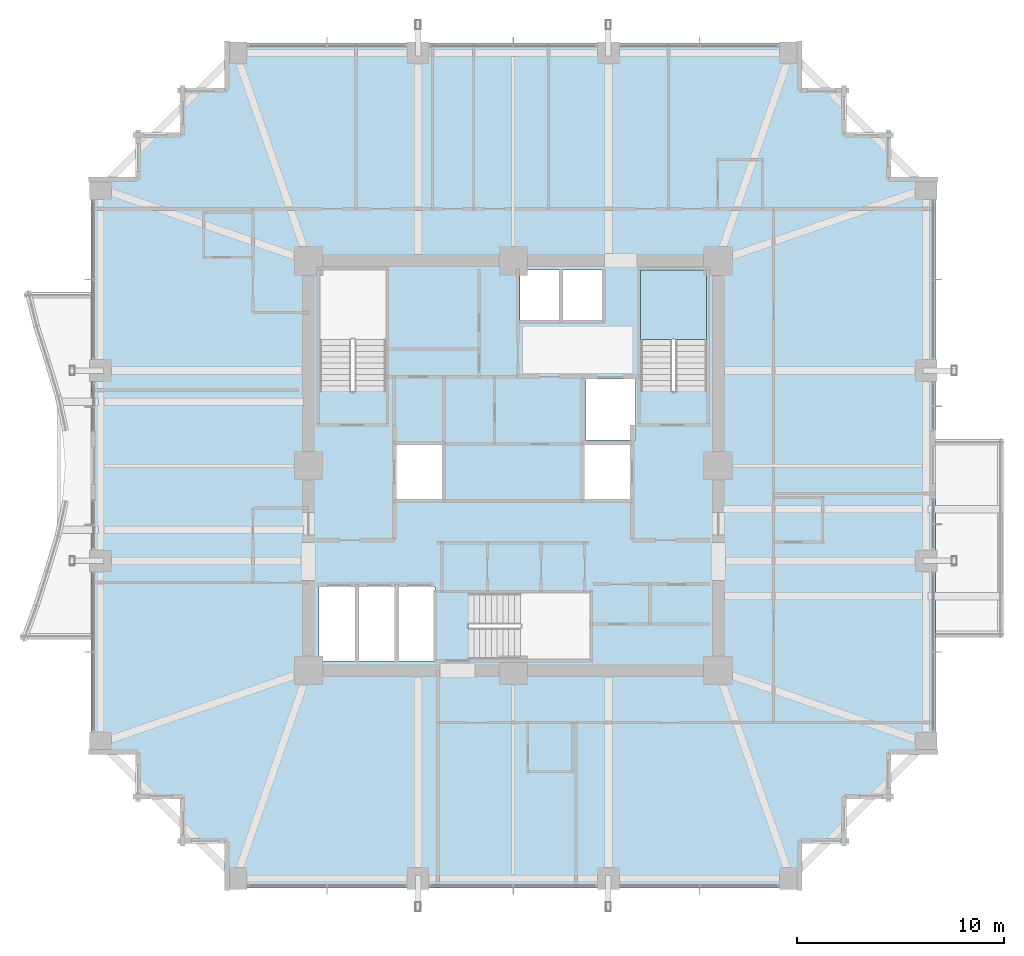
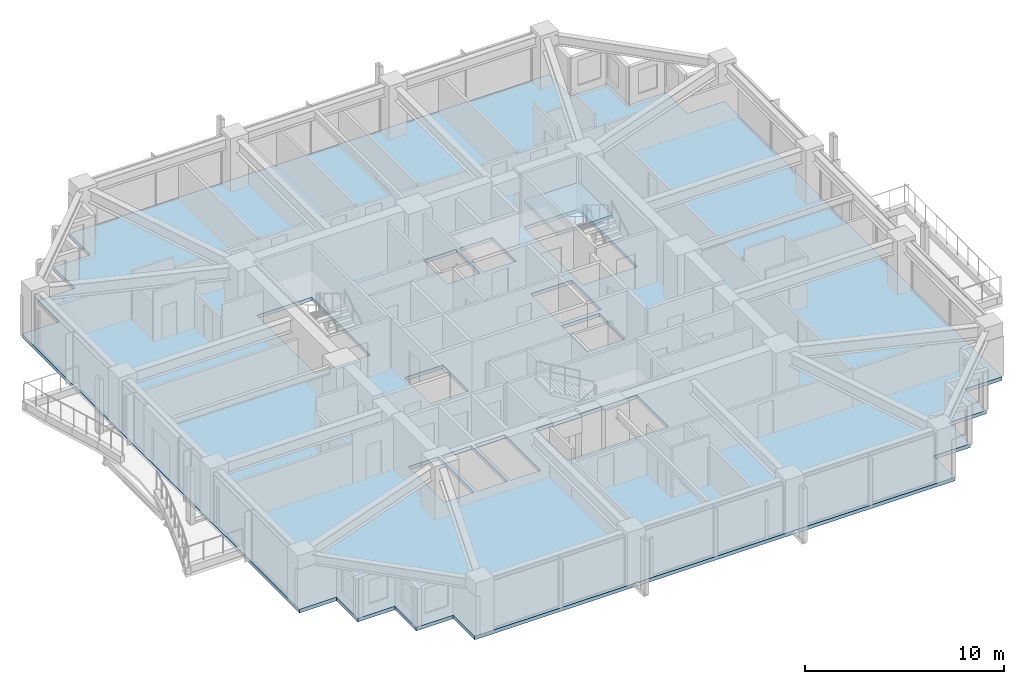
# One storey, part 27 of 37: 2 slabs, 1 element without a shape of its own.
"""IFC4 building model written with IfcOpenShell, lengths in metres."""

from ifc_helpers import new_model, si_unit, direction, frame, origin, place, context, subcontext, project, spatial, polyline, outline, extrude, material, layer, layer_set, type_object, element, aggregate, save


model = new_model("IFC4")

# Units and contexts
model_context = context("Model", 3, precision=1e-05, world=origin(), true_north=direction((0.0, 1.0)))
body_context = subcontext(model_context, "Body", "Model", "MODEL_VIEW")
ifc_project = project(units=[si_unit("LENGTHUNIT", "METRE"), si_unit("AREAUNIT", "SQUARE_METRE"), si_unit("VOLUMEUNIT", "CUBIC_METRE"), si_unit("PLANEANGLEUNIT", "RADIAN"), si_unit("MASSUNIT", "GRAM", prefix="KILO")], contexts=[model_context])

# Site, building, storey
site_placement = place(None, origin())
site = spatial("IfcSite", under=ifc_project, at=site_placement, CompositionType="ELEMENT")
building_placement = place(site_placement, origin())
building = spatial("IfcBuilding", under=site, at=building_placement, Name="Kolvaren Belvedere", CompositionType="ELEMENT")
storey_placement = place(building_placement, frame((0.0, 0.0, 82.10009765625)))
storey = spatial("IfcBuildingStorey", under=building, at=storey_placement, Name="L23", CompositionType="ELEMENT", Elevation=82.10009765625)

# Slab
ifc_material_1 = material(Name="Concrete C50/60", Category="concrete")
ifc_layer_1 = layer(ifc_material_1, 0.219970703125)
ifc_layer_set_1 = layer_set([ifc_layer_1], Name="Concrete C50/60")
slab_type_1 = type_object("IfcSlabType", Name="SL-FLR-220", PredefinedType="FLOOR", material=ifc_layer_set_1)
slab_1_placement = place(storey_placement, frame((0.0, 0.0, -0.22021484375)))
element("IfcSlab", 1, at=slab_1_placement, inside=storey, type_object=slab_type_1, Name="L23 Primary Structural Slab", PredefinedType="FLOOR", context=body_context, shape_type="SweptSolid", body=[
    extrude(outline(polyline([(-13.949951171875, -20.39990234375), (13.949951171875, -20.39990234375), (13.949951171875, -18.25), (16.10009765625, -18.25), (16.10009765625, -16.10009765625), (18.25, -16.10009765625), (18.25, -13.949951171875), (20.39990234375, -13.949951171875), (20.39990234375, 13.949951171875), (18.25, 13.949951171875), (18.25, 16.10009765625), (16.10009765625, 16.10009765625), (16.10009765625, 18.25), (13.949951171875, 18.25), (13.949951171875, 20.39990234375), (-13.949951171875, 20.39990234375), (-13.949951171875, 18.25), (-16.10009765625, 18.25), (-16.10009765625, 16.10009765625), (-18.25, 16.10009765625), (-18.25, 13.949951171875), (-20.39990234375, 13.949951171875), (-20.39990234375, -13.949951171875), (-18.25, -13.949951171875), (-18.25, -16.10009765625), (-16.10009765625, -16.10009765625), (-16.10009765625, -18.25), (-13.949951171875, -18.25), (-13.949951171875, -20.39990234375)]), holes=[polyline([(-9.35009765625, 3.580078125), (-6.159912109375, 3.580078125), (-6.159912109375, 9.449951171875), (-9.35009765625, 9.449951171875), (-9.35009765625, 3.580078125)]), polyline([(6.159912109375, 3.580078125), (9.35009765625, 3.580078125), (9.35009765625, 9.449951171875), (6.159912109375, 9.449951171875), (6.159912109375, 3.580078125)]), polyline([(-2.169921875, -9.35009765625), (3.699951171875, -9.35009765625), (3.699951171875, -6.159912109375), (-2.169921875, -6.159912109375), (-2.169921875, -9.35009765625)]), polyline([(-5.64990234375, -1.60009765625), (-3.449951171875, -1.60009765625), (-3.449951171875, 1.0), (-5.64990234375, 1.0), (-5.64990234375, -1.60009765625)]), polyline([(3.5, 1.25), (5.89990234375, 1.25), (5.89990234375, 4.199951171875), (3.5, 4.199951171875), (3.5, 1.25)]), polyline([(3.449951171875, -1.60009765625), (5.64990234375, -1.60009765625), (5.64990234375, 1.0), (3.449951171875, 1.0), (3.449951171875, -1.60009765625)]), polyline([(-9.39990234375, -9.449951171875), (-7.64990234375, -9.449951171875), (-7.64990234375, -5.85009765625), (-9.39990234375, -5.85009765625), (-9.39990234375, -9.449951171875)]), polyline([(-7.469970703125, -9.449951171875), (-5.719970703125, -9.449951171875), (-5.719970703125, -5.85009765625), (-7.469970703125, -5.85009765625), (-7.469970703125, -9.449951171875)]), polyline([(-5.5400390625, -9.449951171875), (-3.7900390625, -9.449951171875), (-3.7900390625, -5.85009765625), (-5.5400390625, -5.85009765625), (-5.5400390625, -9.449951171875)]), polyline([(0.320068359375, 7.050048828125), (2.219970703125, 7.050048828125), (2.219970703125, 9.449951171875), (0.320068359375, 9.449951171875), (0.320068359375, 7.050048828125)]), polyline([(2.39990234375, 7.050048828125), (4.300048828125, 7.050048828125), (4.300048828125, 9.449951171875), (2.39990234375, 9.449951171875), (2.39990234375, 7.050048828125)])]), origin(), (0.0, 0.0, 1.0), 0.22021484375),
])

# Stair, slab
ifc_material_2 = material(Name="Concrete C50/60", Category="concrete")
stair_type = type_object("IfcStairType", Name="ST-CORE-1520", PredefinedType="HALF_TURN_STAIR", material=ifc_material_2)
stair_placement = place(storey_placement, origin())
stair = element("IfcStair", 2, at=stair_placement, inside=storey, type_object=stair_type, Name="L23 Protected Exit Stair ST-2", PredefinedType="HALF_TURN_STAIR")
ifc_material_3 = material(Name="Concrete C50/60", Category="concrete")
ifc_layer_2 = layer(ifc_material_3, 0.260009765625)
ifc_layer_set_2 = layer_set([ifc_layer_2], Name="Concrete C50/60")
slab_type_2 = type_object("IfcSlabType", Name="SL-LAND-260", PredefinedType="LANDING", material=ifc_layer_set_2)
slab_2_placement = place(storey_placement, frame((0.0, 0.0, 1.449951171875)))
slab_2 = element("IfcSlab", 3, at=slab_2_placement, type_object=slab_type_2, Name="ST-2 landing 1", PredefinedType="LANDING", context=body_context, shape_type="SweptSolid", body=[
    extrude(outline(polyline([(9.35009765625, 6.090087890625), (9.35009765625, 9.449951171875), (6.159912109375, 9.449951171875), (6.159912109375, 6.090087890625), (9.35009765625, 6.090087890625)])), origin(), (0.0, 0.0, 1.0), 0.199951171875),
])
aggregate(stair, [slab_2])

save(model, "model.ifc")
